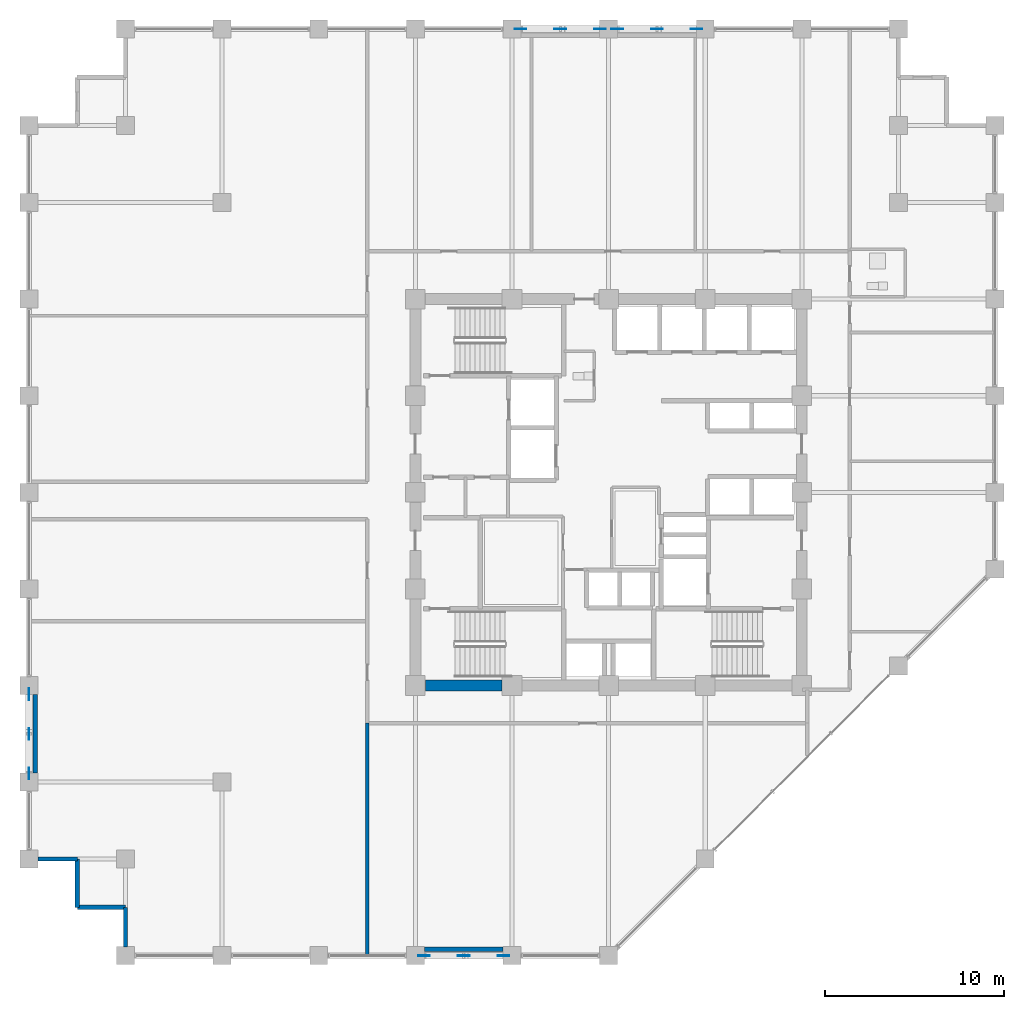
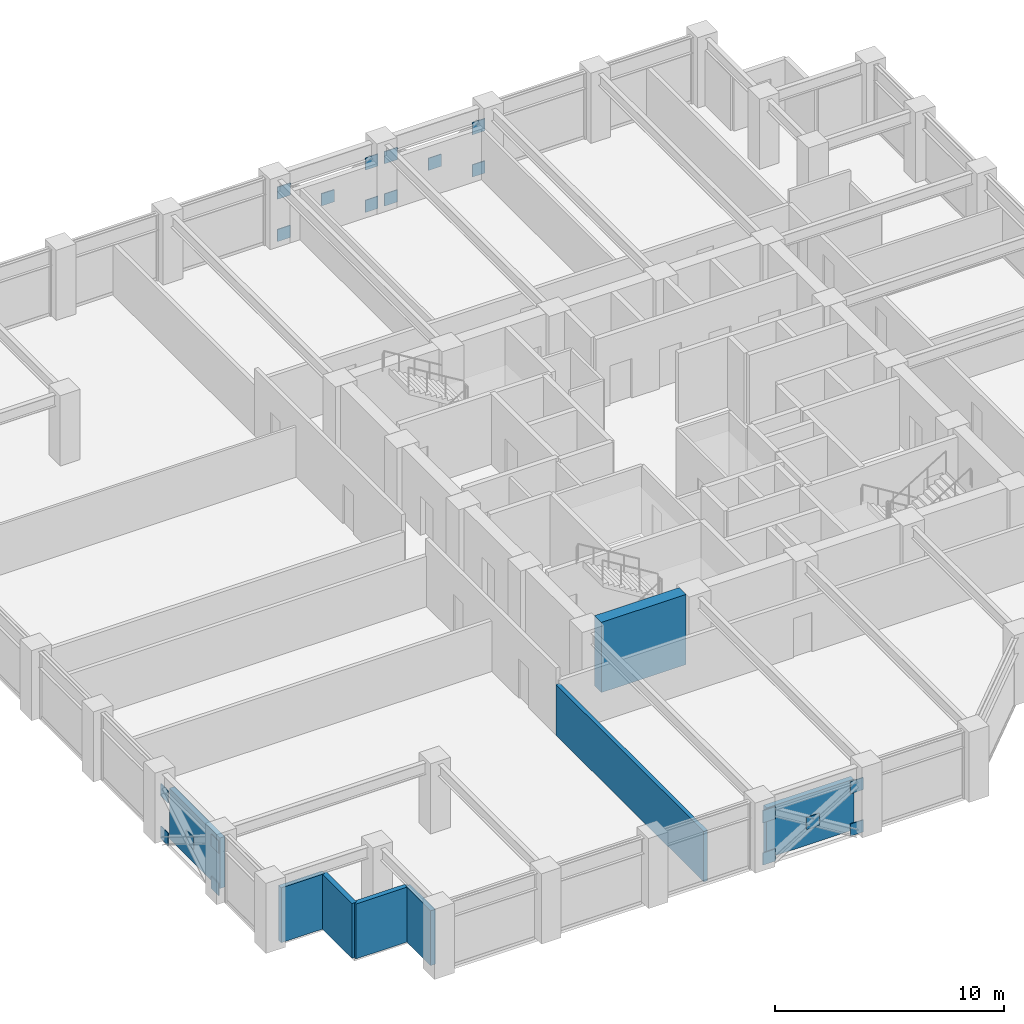
# One storey, part 18 of 23: 20 plates, 8 walls.
"""IFC4 building model written with IfcOpenShell, lengths in metres."""

from ifc_helpers import new_model, si_unit, direction, frame, frame_2d, origin, origin_2d, place, context, subcontext, project, spatial, rectangle, extrude, material, layer, layer_set, type_object, element, save


model = new_model("IFC4")

# Units and contexts
model_context = context("Model", 3, precision=1e-05, world=origin(), true_north=direction((0.0, 1.0)))
body_context = subcontext(model_context, "Body", "Model", "MODEL_VIEW")
ifc_project = project(units=[si_unit("LENGTHUNIT", "METRE"), si_unit("AREAUNIT", "SQUARE_METRE"), si_unit("VOLUMEUNIT", "CUBIC_METRE"), si_unit("PLANEANGLEUNIT", "RADIAN"), si_unit("MASSUNIT", "GRAM", prefix="KILO")], contexts=[model_context])

# Site, building, storey
site_placement = place(None, origin())
site = spatial("IfcSite", under=ifc_project, at=site_placement, CompositionType="ELEMENT")
building_placement = place(site_placement, origin())
building = spatial("IfcBuilding", under=site, at=building_placement, Name="Surkhivell Harbour Commons", CompositionType="ELEMENT")
storey_placement = place(building_placement, frame((0.0, 0.0, 132.0)))
storey = spatial("IfcBuildingStorey", under=building, at=storey_placement, Name="L34", CompositionType="ELEMENT", Elevation=132.0)

# Plates
ifc_material_1 = material(Name="Steel S460", Category="steel")
ifc_layer_1 = layer(ifc_material_1, 0.044921875)
ifc_layer_set_1 = layer_set([ifc_layer_1], Name="Steel S460")
plate_type = type_object("IfcPlateType", Name="PLT-GUS-650", PredefinedType="USERDEFINED", material=ifc_layer_set_1)
for number, where, z_axis, x_axis, name in (
    (1, (-4.9150390625, 25.89990234375, -0.08935546875), (0.0, 0.0, 1.0), (1.0, 0.0, 0.0), "L34 Perimeter Mega-Brace MB- Corner Gusset N-1"),
    (2, (-0.485107421875, 25.89990234375, -0.08935546875), (0.0, 0.0, 1.0), (1.0, 0.0, 0.0), "L34 Perimeter Mega-Brace MB- Corner Gusset N-2"),
    (3, (-4.9150390625, 25.89990234375, 2.170654296875), (0.0, 0.0, 1.0), (1.0, 0.0, 0.0), "L34 Perimeter Mega-Brace MB- Corner Gusset N-3"),
    (4, (-0.485107421875, 25.89990234375, 2.170654296875), (0.0, 0.0, 1.0), (1.0, 0.0, 0.0), "L34 Perimeter Mega-Brace MB- Corner Gusset N-4"),
    (5, (-2.699951171875, 25.89990234375, 1.04052734375), (0.0, 0.0, 1.0), (1.0, 0.0, 0.0), "L34 Perimeter Mega-Brace MB- Central Crossing Gusset N"),
    (6, (0.485107421875, 25.89990234375, -0.08935546875), (0.0, 0.0, 1.0), (1.0, 0.0, 0.0), "L34 Perimeter Mega-Brace MB- Corner Gusset N2-1"),
    (7, (4.9150390625, 25.89990234375, -0.08935546875), (0.0, 0.0, 1.0), (1.0, 0.0, 0.0), "L34 Perimeter Mega-Brace MB- Corner Gusset N2-2"),
    (8, (0.485107421875, 25.89990234375, 2.170654296875), (0.0, 0.0, 1.0), (1.0, 0.0, 0.0), "L34 Perimeter Mega-Brace MB- Corner Gusset N2-3"),
    (9, (4.9150390625, 25.89990234375, 2.170654296875), (0.0, 0.0, 1.0), (1.0, 0.0, 0.0), "L34 Perimeter Mega-Brace MB- Corner Gusset N2-4"),
    (10, (2.699951171875, 25.89990234375, 1.04052734375), (0.0, 0.0, 1.0), (1.0, 0.0, 0.0), "L34 Perimeter Mega-Brace MB- Central Crossing Gusset N2"),
    (11, (-10.31494140625, -25.89990234375, -0.08935546875), (0.0, 0.0, 1.0), (1.0, 0.0, 0.0), "L34 Perimeter Mega-Brace MB- Corner Gusset S-1"),
    (12, (-5.885009765625, -25.89990234375, -0.08935546875), (0.0, 0.0, 1.0), (1.0, 0.0, 0.0), "L34 Perimeter Mega-Brace MB- Corner Gusset S-2"),
    (13, (-10.31494140625, -25.89990234375, 2.170654296875), (0.0, 0.0, 1.0), (1.0, 0.0, 0.0), "L34 Perimeter Mega-Brace MB- Corner Gusset S-3"),
    (14, (-5.885009765625, -25.89990234375, 2.170654296875), (0.0, 0.0, 1.0), (1.0, 0.0, 0.0), "L34 Perimeter Mega-Brace MB- Corner Gusset S-4"),
    (15, (-8.10009765625, -25.89990234375, 1.04052734375), (0.0, 0.0, 1.0), (1.0, 0.0, 0.0), "L34 Perimeter Mega-Brace MB- Central Crossing Gusset S"),
    (16, (-32.39990234375, -15.715087890625, -0.08935546875), (0.0, 0.0, 1.0), (0.0, 1.0, 0.0), "L34 Perimeter Mega-Brace MB- Corner Gusset W-1"),
    (17, (-32.39990234375, -11.284912109375, -0.08935546875), (0.0, 0.0, 1.0), (0.0, 1.0, 0.0), "L34 Perimeter Mega-Brace MB- Corner Gusset W-2"),
    (18, (-32.39990234375, -15.715087890625, 2.170654296875), (0.0, 0.0, 1.0), (0.0, 1.0, 0.0), "L34 Perimeter Mega-Brace MB- Corner Gusset W-3"),
    (19, (-32.39990234375, -11.284912109375, 2.170654296875), (0.0, 0.0, 1.0), (0.0, 1.0, 0.0), "L34 Perimeter Mega-Brace MB- Corner Gusset W-4"),
    (20, (-32.39990234375, -13.5, 1.04052734375), (0.0, 0.0, 1.0), (0.0, 1.0, 0.0), "L34 Perimeter Mega-Brace MB- Central Crossing Gusset W"),
):
    element("IfcPlate", number, at=place(storey_placement, frame(where, z_axis=z_axis, x_axis=x_axis)), inside=storey, type_object=plate_type, Name=name, ObjectType="GUSSET_PLATE", PredefinedType="USERDEFINED", context=body_context, shape_type="SweptSolid", body=[
        extrude(rectangle(XDim=0.64990234375, YDim=0.044921875, at=origin_2d()), origin(), (0.0, 0.0, 1.0), 0.64990234375),
    ])

# Walls
ifc_material_2 = material(Name="Concrete C60/75", Category="concrete")
ifc_layer_2 = layer(ifc_material_2, 0.60009765625)
ifc_layer_set_2 = layer_set([ifc_layer_2], Name="Concrete C60/75")
wall_type_1 = type_object("IfcWallType", Name="WAL-CORE-600", PredefinedType="SHEAR", material=ifc_layer_set_2)
wall_1_placement = place(storey_placement, frame((-10.239990234375, -10.800048828125, 0.0), z_axis=(0.0, 0.0, 1.0), x_axis=(1.0, 0.0, 0.0)))
element("IfcWall", 21, at=wall_1_placement, inside=storey, type_object=wall_type_1, Name="L34 Core Shear Wall South 1", PredefinedType="SHEAR", context=body_context, shape_type="SweptSolid", body=[
    extrude(rectangle(XDim=4.280029296875, YDim=0.60009765625, at=frame_2d((2.14013671875, 0.0))), origin(), (0.0, 0.0, 1.0), 3.75),
])
ifc_material_3 = material(Name="Pale-metal insulated precast concrete C45/55", Category="concrete")
ifc_layer_3 = layer(ifc_material_3, 0.260009765625)
ifc_layer_set_3 = layer_set([ifc_layer_3], Name="Pale-metal insulated precast concrete C45/55")
wall_type_2 = type_object("IfcWallType", Name="WAL-EXT-MTL260", PredefinedType="STANDARD", material=ifc_layer_set_3)
wall_2_placement = place(storey_placement, frame((-10.302001953125, -25.5400390625, 0.0), z_axis=(0.0, 0.0, 1.0), x_axis=(1.0, 0.0, 0.0)))
element("IfcWall", 22, at=wall_2_placement, inside=storey, type_object=wall_type_2, Name="L34 Braced-Bay Insulated Spandrel Backing S", PredefinedType="STANDARD", context=body_context, shape_type="SweptSolid", body=[
    extrude(rectangle(XDim=4.404052734375, YDim=0.260009765625, at=frame_2d((2.2021484375, 0.0))), origin(), (0.0, 0.0, 1.0), 2.698974609375),
])
wall_3_placement = place(storey_placement, frame((-32.0400390625, -11.298095703125, 0.0), z_axis=(0.0, 0.0, 1.0), x_axis=(0.0, -1.0, 0.0)))
element("IfcWall", 23, at=wall_3_placement, inside=storey, type_object=wall_type_2, Name="L34 Braced-Bay Insulated Spandrel Backing W", PredefinedType="STANDARD", context=body_context, shape_type="SweptSolid", body=[
    extrude(rectangle(XDim=4.40380859375, YDim=0.260009765625, at=frame_2d((2.201904296875, 0.0))), origin(), (0.0, 0.0, 1.0), 2.698974609375),
])
ifc_material_4 = material(Name="Bronze-ochre cassette precast concrete C45/55", Category="concrete")
ifc_layer_4 = layer(ifc_material_4, 0.239990234375)
ifc_layer_set_4 = layer_set([ifc_layer_4], Name="Bronze-ochre cassette precast concrete C45/55")
wall_type_3 = type_object("IfcWallType", Name="WAL-EXT-OCH240", PredefinedType="STANDARD", material=ifc_layer_set_4)
wall_4_placement = place(storey_placement, frame((-31.902099609375, -20.5, 0.0), z_axis=(0.0, 0.0, 1.0), x_axis=(1.0, 0.0, 0.0)))
element("IfcWall", 24, at=wall_4_placement, inside=storey, type_object=wall_type_3, Name="L34 Serrated Corner Facade Wall 13", PredefinedType="STANDARD", context=body_context, shape_type="SweptSolid", body=[
    extrude(rectangle(XDim=2.2021484375, YDim=0.239990234375, at=frame_2d((1.10107421875, 0.0))), origin(), (0.0, 0.0, 1.0), 2.93310546875),
])
for number, where, z_axis, x_axis, name in (
    (25, (-29.699951171875, -20.5, 0.0), (0.0, 0.0, 1.0), (0.0, -1.0, 0.0), "L34 Serrated Corner Facade Wall 14"),
    (26, (-29.699951171875, -23.199951171875, 0.0), (0.0, 0.0, 1.0), (1.0, 0.0, 0.0), "L34 Serrated Corner Facade Wall 15"),
):
    element("IfcWall", number, at=place(storey_placement, frame(where, z_axis=z_axis, x_axis=x_axis)), inside=storey, type_object=wall_type_3, Name=name, PredefinedType="STANDARD", context=body_context, shape_type="SweptSolid", body=[
        extrude(rectangle(XDim=2.699951171875, YDim=0.239990234375, at=frame_2d((1.35009765625, 0.0))), origin(), (0.0, 0.0, 1.0), 2.93310546875),
    ])
wall_5_placement = place(storey_placement, frame((-27.0, -23.199951171875, 0.0), z_axis=(0.0, 0.0, 1.0), x_axis=(0.0, -1.0, 0.0)))
element("IfcWall", 27, at=wall_5_placement, inside=storey, type_object=wall_type_3, Name="L34 Serrated Corner Facade Wall 16", PredefinedType="STANDARD", context=body_context, shape_type="SweptSolid", body=[
    extrude(rectangle(XDim=2.2021484375, YDim=0.239990234375, at=frame_2d((1.10107421875, 0.0))), origin(), (0.0, 0.0, 1.0), 2.93310546875),
])
ifc_material_5 = material(Name="Autoclaved aerated concrete blockwork and fire plaster", Category="masonry")
ifc_layer_5 = layer(ifc_material_5, 0.199951171875)
ifc_layer_set_5 = layer_set([ifc_layer_5], Name="Autoclaved aerated concrete blockwork and fire plaster")
wall_type_4 = type_object("IfcWallType", Name="WAL-INT-200", PredefinedType="PARTITIONING", material=ifc_layer_set_5)
wall_6_placement = place(storey_placement, frame((-13.47998046875, -25.840087890625, 0.0), z_axis=(0.0, 0.0, 1.0), x_axis=(0.0, 1.0, 0.0)))
element("IfcWall", 28, at=wall_6_placement, inside=storey, type_object=wall_type_4, Name="L34 South-West Wing Corner Divider", PredefinedType="PARTITIONING", context=body_context, shape_type="SweptSolid", body=[
    extrude(rectangle(XDim=12.940185546875, YDim=0.199951171875, at=frame_2d((6.47021484375, 0.0))), origin(), (0.0, 0.0, 1.0), 2.698974609375),
])

save(model, "model.ifc")
